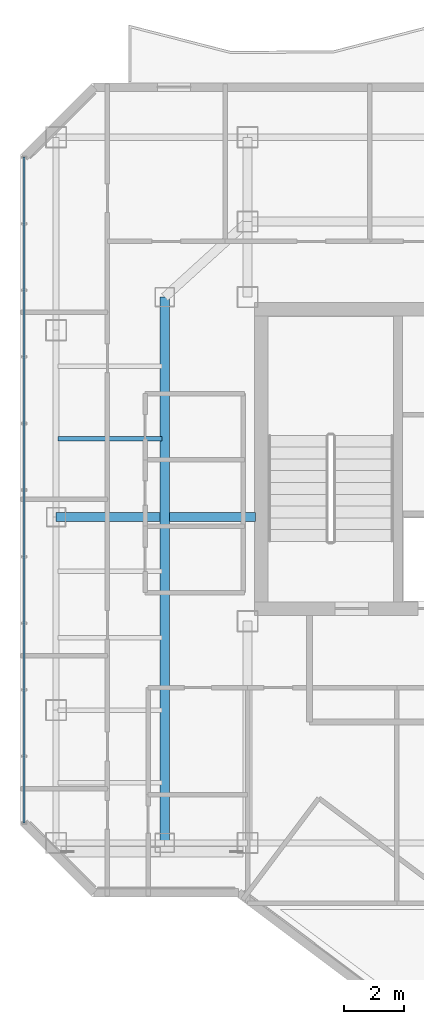
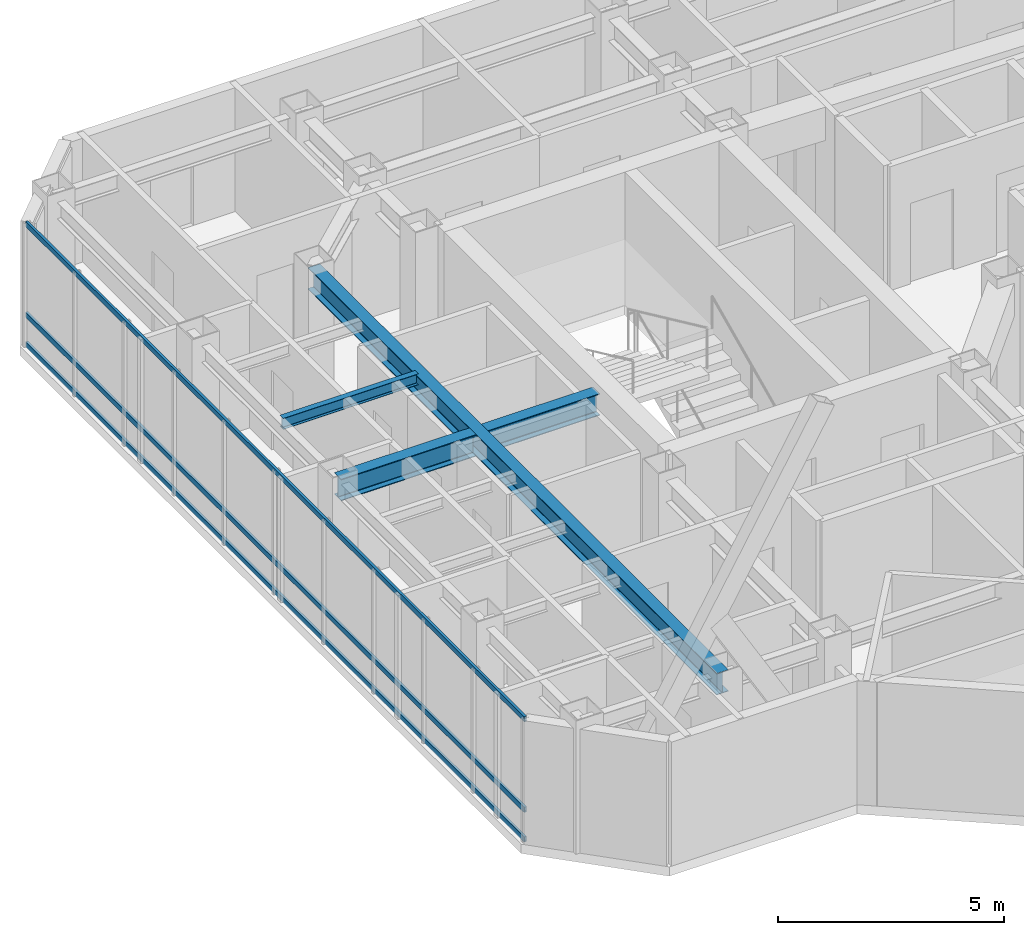
# One storey, part 7 of 25: 4 beams, 3 members, 1 element without a shape of its own.
"""IFC4 building model written with IfcOpenShell, lengths in metres."""

from ifc_helpers import new_model, si_unit, direction, frame, origin, origin_2d, place, context, subcontext, project, spatial, hollow_rectangle, i_section, extrude, material, layer, layer_set, material_profile, profile_set, type_object, element, aggregate, save


model = new_model("IFC4")

# Units and contexts
model_context = context("Model", 3, precision=1e-05, world=origin(), true_north=direction((0.0, 1.0)))
body_context = subcontext(model_context, "Body", "Model", "MODEL_VIEW")
ifc_project = project(units=[si_unit("LENGTHUNIT", "METRE"), si_unit("AREAUNIT", "SQUARE_METRE"), si_unit("VOLUMEUNIT", "CUBIC_METRE"), si_unit("PLANEANGLEUNIT", "RADIAN"), si_unit("MASSUNIT", "GRAM", prefix="KILO")], contexts=[model_context])

# Site, building, storey
site_placement = place(None, origin())
site = spatial("IfcSite", under=ifc_project, at=site_placement, CompositionType="ELEMENT")
building_placement = place(site_placement, origin())
building = spatial("IfcBuilding", under=site, at=building_placement, Name="Hatsunagi Terrace Concourse", CompositionType="ELEMENT")
storey_placement = place(building_placement, frame((0.0, 0.0, 223.949951171875)))
storey = spatial("IfcBuildingStorey", under=building, at=storey_placement, Name="L59", CompositionType="ELEMENT", Elevation=223.949951171875)

# Curtain wall, members
ifc_material_1 = material(Name="Anodised Aluminium Alloy 6063-T5", Category="aluminium")
ifc_layer = layer(ifc_material_1, 0.199951171875)
ifc_layer_set = layer_set([ifc_layer], Name="OfficeZone2_CW04")
curtain_wall_type = type_object("IfcCurtainWallType", Name="OfficeZone2_CW04", PredefinedType="NOTDEFINED", material=ifc_layer_set)
curtain_wall_placement = place(storey_placement, origin())
curtain_wall = element("IfcCurtainWall", 1, at=curtain_wall_placement, inside=storey, type_object=curtain_wall_type, Name="Unitised Curtain Wall CW-04 CW-L59-08", PredefinedType="NOTDEFINED")
ifc_material_2 = material(Name="Anodised Aluminium Alloy 6063-T5", Category="aluminium")
ifc_material_profile_1 = material_profile(ifc_material_2, hollow_rectangle(XDim=0.06494140625, YDim=0.139892578125, WallThickness=0.00390625, at=origin_2d()), Name="ALU-TRN-140x65x4")
ifc_profile_set_1 = profile_set([ifc_material_profile_1], Name="Anodised Aluminium Alloy 6063-T5")
member_type = type_object("IfcMemberType", Name="CurtainWallTransom_140x65", PredefinedType="USERDEFINED", material=ifc_profile_set_1)
member_1_placement = place(storey_placement, frame((18.139892578125, 25.85791015625, 0.050048828125), z_axis=(0.0, 1.0, 0.0), x_axis=(-1.0, 0.0, 0.0)))
member_1 = element("IfcMember", 2, at=member_1_placement, type_object=member_type, Name="Curtain Wall Transom TRN-02", ObjectType="TRANSOM", PredefinedType="USERDEFINED", context=body_context, shape_type="SweptSolid", body=[
    extrude(hollow_rectangle(XDim=0.06494140625, YDim=0.139892578125, WallThickness=0.00390625, at=origin_2d()), origin(), (0.0, 0.0, 1.0), 22.083984375),
])
member_2_placement = place(storey_placement, frame((18.139892578125, 25.85791015625, 0.85009765625), z_axis=(0.0, 1.0, 0.0), x_axis=(-1.0, 0.0, 0.0)))
member_2 = element("IfcMember", 3, at=member_2_placement, type_object=member_type, Name="Curtain Wall Transom TRN-02", ObjectType="TRANSOM", PredefinedType="USERDEFINED", context=body_context, shape_type="SweptSolid", body=[
    extrude(hollow_rectangle(XDim=0.06494140625, YDim=0.139892578125, WallThickness=0.00390625, at=origin_2d()), origin(), (0.0, 0.0, 1.0), 22.083984375),
])
member_3_placement = place(storey_placement, frame((18.139892578125, 25.85791015625, 3.300048828125), z_axis=(0.0, 1.0, 0.0), x_axis=(-1.0, 0.0, 0.0)))
member_3 = element("IfcMember", 4, at=member_3_placement, type_object=member_type, Name="Curtain Wall Transom TRN-02", ObjectType="TRANSOM", PredefinedType="USERDEFINED", context=body_context, shape_type="SweptSolid", body=[
    extrude(hollow_rectangle(XDim=0.06494140625, YDim=0.139892578125, WallThickness=0.00390625, at=origin_2d()), origin(), (0.0, 0.0, 1.0), 22.083984375),
])
aggregate(curtain_wall, [member_1, member_2, member_3])

# Beams
ifc_material_3 = material(Name="Steel SN490B", Category="steel")
ifc_material_profile_2 = material_profile(ifc_material_3, i_section(OverallWidth=0.300048828125, OverallDepth=0.587890625, WebThickness=0.011962890625, FlangeThickness=0.02001953125, FilletRadius=0.01806640625, at=origin_2d()), Name="H-588x300x12x20")
ifc_profile_set_2 = profile_set([ifc_material_profile_2], Name="Steel SN490B")
beam_type_1 = type_object("IfcBeamType", Name="OfficeHighGirder_H_588x300", PredefinedType="BEAM", material=ifc_profile_set_2)
beam_1_placement = place(storey_placement, frame((22.800048828125, 25.199951171875, 3.05615234375), z_axis=(0.0, 1.0, 0.0), x_axis=(-1.0, 0.0, 0.0)))
element("IfcBeam", 5, at=beam_1_placement, inside=storey, type_object=beam_type_1, Name="Beam G-06 BM-L59-CWNS", PredefinedType="BEAM", context=body_context, shape_type="SweptSolid", body=[
    extrude(i_section(OverallWidth=0.300048828125, OverallDepth=0.587890625, WebThickness=0.011962890625, FlangeThickness=0.02001953125, FilletRadius=0.01806640625, at=origin_2d()), origin(), (0.0, 0.0, 1.0), 18.10009765625),
])
beam_2_placement = place(storey_placement, frame((19.199951171875, 36.0, 3.05615234375), z_axis=(1.0, 0.0, 0.0), x_axis=(0.0, 1.0, 0.0)))
element("IfcBeam", 6, at=beam_2_placement, inside=storey, type_object=beam_type_1, Name="Beam G-06 BM-L59-EW-3", PredefinedType="BEAM", context=body_context, shape_type="SweptSolid", body=[
    extrude(i_section(OverallWidth=0.300048828125, OverallDepth=0.587890625, WebThickness=0.011962890625, FlangeThickness=0.02001953125, FilletRadius=0.01806640625, at=origin_2d()), origin(), (0.0, 0.0, 1.0), 3.449951171875),
])
beam_3_placement = place(storey_placement, frame((22.949951171875, 36.0, 3.05615234375), z_axis=(1.0, 0.0, 0.0), x_axis=(0.0, 1.0, 0.0)))
element("IfcBeam", 7, at=beam_3_placement, inside=storey, type_object=beam_type_1, Name="Beam G-06 BM-L59-EW-4", PredefinedType="BEAM", context=body_context, shape_type="SweptSolid", body=[
    extrude(i_section(OverallWidth=0.300048828125, OverallDepth=0.587890625, WebThickness=0.011962890625, FlangeThickness=0.02001953125, FilletRadius=0.01806640625, at=origin_2d()), origin(), (0.0, 0.0, 1.0), 2.860107421875),
])
ifc_material_4 = material(Name="Steel SN490B", Category="steel")
ifc_material_profile_3 = material_profile(ifc_material_4, i_section(OverallWidth=0.14990234375, OverallDepth=0.300048828125, WebThickness=0.006591796875, FlangeThickness=0.009033203125, FilletRadius=0.010986328125, at=origin_2d()), Name="H-300x150x6.5x9")
ifc_profile_set_3 = profile_set([ifc_material_profile_3], Name="Steel SN490B")
beam_type_2 = type_object("IfcBeamType", Name="OfficeJoist_H_300x150", PredefinedType="JOIST", material=ifc_profile_set_3)
beam_4_placement = place(storey_placement, frame((19.264892578125, 38.60009765625, 3.199951171875), z_axis=(1.0, 0.0, 0.0), x_axis=(0.0, 1.0, 0.0)))
element("IfcBeam", 8, at=beam_4_placement, inside=storey, type_object=beam_type_2, Name="Beam J-03 J-L59-W-19-386", PredefinedType="JOIST", context=body_context, shape_type="SweptSolid", body=[
    extrude(i_section(OverallWidth=0.14990234375, OverallDepth=0.300048828125, WebThickness=0.006591796875, FlangeThickness=0.009033203125, FilletRadius=0.010986328125, at=origin_2d()), origin(), (0.0, 0.0, 1.0), 3.4501953125),
])

save(model, "model.ifc")
